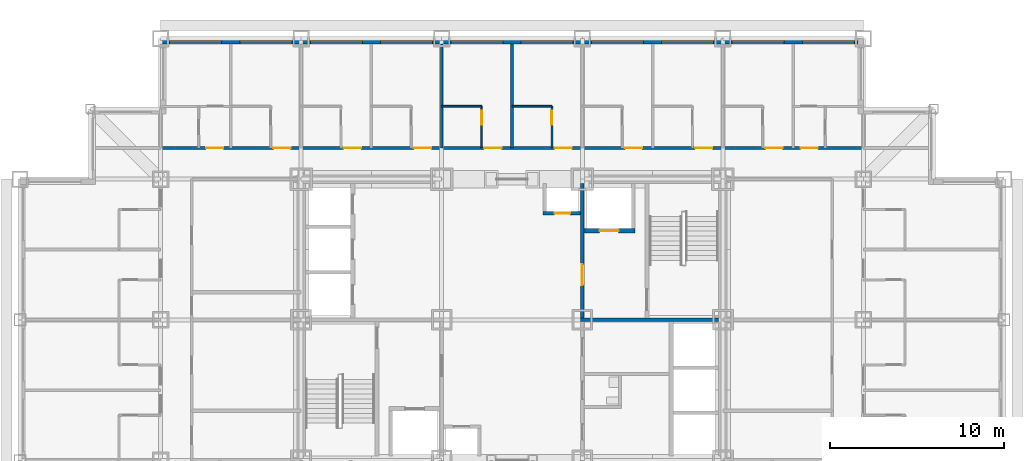
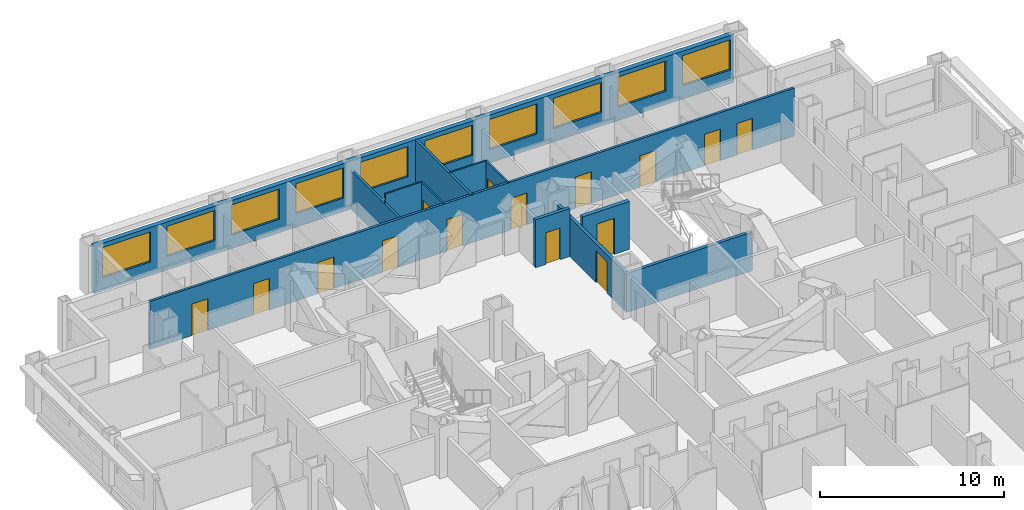
# One storey, part 9 of 13: 15 doors, 12 walls, 10 windows, 25 openings.
"""IFC4 building model written with IfcOpenShell, lengths in metres."""

import ifcopenshell
import ifcopenshell.guid

model = None  # the IFC model being written
_history = None  # IfcOwnerHistory: only IFC2X3 demands one
_inside = {}  # id of a spatial element -> (the spatial element, [elements in it])
_under = {}  # id of a project, library or spatial element -> (it, [spatial elements below it])
_declared = {}  # id of a project -> (the project, [libraries it declares])
_typed = {}  # id of a type object -> (the type object, [elements of that type])
_made_of = {}  # id of a material, layer set ... -> (it, [elements and type objects made of it])


def new_model(schema):
    """Start an empty IFC model of exactly this schema.

    Asked for "IFC4X3", IfcOpenShell would pick the latest addendum, in which some entities
    have other attributes; the version numbers below select the first issue.
    IFC2X3 requires an IfcOwnerHistory on every rooted entity: one is made here for all.
    """
    global model, _history
    if schema == "IFC4X3":
        model = ifcopenshell.file(schema_version=(4, 3, 0, 0))
    else:
        model = ifcopenshell.file(schema=schema)
    _inside.clear()
    _under.clear()
    _declared.clear()
    _typed.clear()
    _made_of.clear()
    _history = None
    if model.schema == "IFC2X3":
        org = make("IfcOrganization", Name="unknown")
        user = make(
            "IfcPersonAndOrganization",
            ThePerson=make("IfcPerson", FamilyName="unknown"),
            TheOrganization=org,
        )
        app = make(
            "IfcApplication",
            ApplicationDeveloper=org,
            Version="unknown",
            ApplicationFullName="unknown",
            ApplicationIdentifier="unknown",
        )
        _history = make(
            "IfcOwnerHistory",
            OwningUser=user,
            OwningApplication=app,
            ChangeAction="ADDED",
            CreationDate=0,
        )
    return model


def make(cls, **values):
    """One entity of the class cls with the attributes given. An attribute that is None is left unset."""
    return model.create_entity(
        cls, **{name: value for name, value in values.items() if value is not None}
    )


def rooted(cls, **values):
    """An entity with a GlobalId (a new one), such as an element, a storey or a relation."""
    return make(cls, GlobalId=ifcopenshell.guid.new(), OwnerHistory=_history, **values)


def si_unit(unit_type, name, prefix=None):
    """IfcSIUnit, for example si_unit("LENGTHUNIT", "METRE", prefix="MILLI")."""
    return make("IfcSIUnit", UnitType=unit_type, Prefix=prefix, Name=name)


def assignment(units):
    """IfcUnitAssignment: the units of a project."""
    return None if units is None else make("IfcUnitAssignment", Units=units)


def point(xyz):
    """IfcCartesianPoint."""
    return None if xyz is None else make("IfcCartesianPoint", Coordinates=xyz)


def direction(xyz):
    """IfcDirection."""
    return None if xyz is None else make("IfcDirection", DirectionRatios=xyz)


def frame(location, z_axis=None, x_axis=None):
    """IfcAxis2Placement3D, a coordinate frame: its origin and axes. An axis left out is left unset."""
    return make(
        "IfcAxis2Placement3D",
        Location=point(location),
        Axis=direction(z_axis),
        RefDirection=direction(x_axis),
    )


def frame_2d(location, x_axis=None):
    """IfcAxis2Placement2D, a coordinate frame in the plane: its origin and x axis."""
    return make(
        "IfcAxis2Placement2D", Location=point(location), RefDirection=direction(x_axis)
    )


def origin():
    """The frame at (0, 0, 0) with its axes left unset."""
    return frame((0.0, 0.0, 0.0))


def place(relative_to, where):
    """IfcLocalPlacement: puts the frame where relative to a parent placement (None: the world)."""
    return make(
        "IfcLocalPlacement", PlacementRelTo=relative_to, RelativePlacement=where
    )


def context(
    kind, dimensions, precision=None, world=None, true_north=None, identifier=None
):
    """IfcGeometricRepresentationContext, for example the 3D "Model" context."""
    return make(
        "IfcGeometricRepresentationContext",
        ContextIdentifier=identifier,
        ContextType=kind,
        CoordinateSpaceDimension=dimensions,
        Precision=precision,
        WorldCoordinateSystem=world,
        TrueNorth=true_north,
    )


def subcontext(parent, identifier, kind, view, scale=None):
    """IfcGeometricRepresentationSubContext, for example "Body" below "Model"."""
    return make(
        "IfcGeometricRepresentationSubContext",
        ContextIdentifier=identifier,
        ContextType=kind,
        ParentContext=parent,
        TargetScale=scale,
        TargetView=view,
    )


def project(units=None, contexts=None):
    """IfcProject with its units and contexts."""
    return rooted(
        "IfcProject",
        Name="project",
        RepresentationContexts=contexts,
        UnitsInContext=assignment(units),
    )


def spatial(cls, under=None, at=None, **own):
    """A site, building, storey or space (cls), placed at a placement, below another one or the project."""
    s = rooted(cls, ObjectPlacement=at, **own)
    if under is not None:
        _under.setdefault(under.id(), (under, []))[1].append(s)
    return s


def profile(cls, at=None, kind="AREA", **sizes):
    """A parametric profile (cls). Its sizes go by their IFC names, for example OverallWidth=200.0."""
    return make(cls, ProfileType=kind, Position=at, **sizes)


def rectangle(**sizes):
    """IfcRectangleProfileDef."""
    return profile("IfcRectangleProfileDef", **sizes)


def extrude(swept, where, along, depth):
    """IfcExtrudedAreaSolid: the profile swept, set in the frame where, extruded along a direction by depth."""
    return make(
        "IfcExtrudedAreaSolid",
        SweptArea=swept,
        Position=where,
        ExtrudedDirection=direction(along),
        Depth=depth,
    )


def shape(context_of_items, identifier, shape_type, items):
    """IfcShapeRepresentation: the items that make up one representation, for example the "Body"."""
    return make(
        "IfcShapeRepresentation",
        ContextOfItems=context_of_items,
        RepresentationIdentifier=identifier,
        RepresentationType=shape_type,
        Items=items,
    )


def material(Name=None, Category=None):
    """IfcMaterial."""
    return make("IfcMaterial", Name=Name, Category=Category)


def layer(
    of_material, thickness, ventilated=None, Name=None, Category=None, Priority=None
):
    """IfcMaterialLayer: one layer of a wall or slab, of a material (None: an air gap)."""
    return make(
        "IfcMaterialLayer",
        Material=of_material,
        LayerThickness=thickness,
        IsVentilated=ventilated,
        Name=Name,
        Category=Category,
        Priority=Priority,
    )


def layer_set(layers, Name=None):
    """IfcMaterialLayerSet."""
    return make("IfcMaterialLayerSet", MaterialLayers=layers, LayerSetName=Name)


def made_of(thing, what):
    """Note that an element or type object is made of a material, layer set ...; save() writes the relation."""
    if what is not None:
        _made_of.setdefault(what.id(), (what, []))[1].append(thing)
    return thing


def type_object(cls, material=None, **own):
    """A type object (cls), such as IfcWallType, which elements share."""
    return made_of(rooted(cls, **own), material)


def element(
    cls,
    number,
    at=None,
    inside=None,
    cuts=None,
    type_object=None,
    material=None,
    context=None,
    identifier="Body",
    shape_type=None,
    held_by="IfcProductDefinitionShape",
    body=None,
    shapes=None,
    **own,
):
    """One element of the class cls, such as IfcWall. Its Tag is "e" and its number.

    at: its placement. inside: the storey or other place that contains it. cuts: it is an
    opening in that element (IfcRelVoidsElement). A single representation is given by context,
    identifier, shape_type and body (its items); several are given by shapes. held_by: the class
    of the entity that holds the representations. save() writes the other relations.
    """
    e = rooted(cls, Tag="e%d" % number, ObjectPlacement=at, **own)
    if body is not None:
        shapes = [shape(context, identifier, shape_type, body)]
    if shapes is not None:
        e.Representation = make(held_by, Representations=shapes)
    if inside is not None:
        _inside.setdefault(inside.id(), (inside, []))[1].append(e)
    if cuts is not None:
        rooted(
            "IfcRelVoidsElement", RelatingBuildingElement=cuts, RelatedOpeningElement=e
        )
    if type_object is not None:
        _typed.setdefault(type_object.id(), (type_object, []))[1].append(e)
    return made_of(e, material)


def fill(opening, filler):
    """IfcRelFillsElement: the door or window that sits in an opening."""
    return rooted(
        "IfcRelFillsElement",
        RelatingOpeningElement=opening,
        RelatedBuildingElement=filler,
    )


def aggregate(whole, parts):
    """IfcRelAggregates: a whole, such as a stair, and the parts it consists of."""
    return rooted("IfcRelAggregates", RelatingObject=whole, RelatedObjects=parts)


def save(model, path):
    """Write the relations noted so far, then the file.

    IfcRelAggregates (storeys below a building ...), IfcRelContainedInSpatialStructure (elements
    in a storey), IfcRelDefinesByType, IfcRelAssociatesMaterial and IfcRelDeclares: one each for
    every whole, place, type object, material and project.
    """
    for whole, parts in _under.values():
        aggregate(whole, parts)
    for where, things in _inside.values():
        rooted(
            "IfcRelContainedInSpatialStructure",
            RelatedElements=things,
            RelatingStructure=where,
        )
    for kind, things in _typed.values():
        rooted("IfcRelDefinesByType", RelatedObjects=things, RelatingType=kind)
    for what, things in _made_of.values():
        rooted("IfcRelAssociatesMaterial", RelatedObjects=things, RelatingMaterial=what)
    for by, libraries in _declared.values():
        rooted("IfcRelDeclares", RelatingContext=by, RelatedDefinitions=libraries)
    model.write(path)


model = new_model("IFC4")

# Units and contexts
model_context = context("Model", 3, precision=1e-05, world=origin(), true_north=direction((0.0, 1.0)))
body_context = subcontext(model_context, "Body", "Model", "MODEL_VIEW")
ifc_project = project(units=[si_unit("LENGTHUNIT", "METRE"), si_unit("AREAUNIT", "SQUARE_METRE"), si_unit("VOLUMEUNIT", "CUBIC_METRE"), si_unit("PLANEANGLEUNIT", "RADIAN"), si_unit("MASSUNIT", "GRAM", prefix="KILO")], contexts=[model_context])

# Site, building, storey
site_placement = place(None, origin())
site = spatial("IfcSite", under=ifc_project, at=site_placement, CompositionType="ELEMENT")
building_placement = place(site_placement, origin())
building = spatial("IfcBuilding", under=site, at=building_placement, Name="Kopane Lantern Tower", CompositionType="ELEMENT")
storey_placement = place(building_placement, frame((0.0, 0.0, 50.0)))
storey = spatial("IfcBuildingStorey", under=building, at=storey_placement, Name="L11", CompositionType="ELEMENT", Elevation=50.0)

# Wall
ifc_material_1 = material(Name="Moisture-resistant board on steel studs", Category="steel")
ifc_layer_1 = layer(ifc_material_1, 0.10009765625)
ifc_layer_set_1 = layer_set([ifc_layer_1], Name="BATHROOM WALL 100")
wall_type_1 = type_object("IfcWallType", Name="BATHROOM WALL 100", PredefinedType="PARTITIONING", material=ifc_layer_set_1)
wall_1_placement = place(storey_placement, frame((24.300048828125, 44.699951171875, 0.0), z_axis=(0.0, 0.0, 1.0), x_axis=(1.0, 0.0, 0.0)))
element("IfcWall", 1, at=wall_1_placement, inside=storey, type_object=wall_type_1, Name="Bathroom Wall 100 L11", PredefinedType="PARTITIONING", context=body_context, shape_type="SweptSolid", body=[
    extrude(rectangle(XDim=2.300048828125, YDim=0.10009765625, at=frame_2d((1.14990234375, 0.0))), origin(), (0.0, 0.0, 1.0), 3.18994140625),
])

# Wall, opening, door
wall_2_placement = place(storey_placement, frame((26.60009765625, 42.300048828125, 0.0), z_axis=(0.0, 0.0, 1.0), x_axis=(0.0, 1.0, 0.0)))
wall_2 = element("IfcWall", 2, at=wall_2_placement, inside=storey, type_object=wall_type_1, Name="Bathroom Wall 100 L11", PredefinedType="PARTITIONING", context=body_context, shape_type="SweptSolid", body=[
    extrude(rectangle(XDim=2.39990234375, YDim=0.10009765625, at=frame_2d((1.199951171875, 0.0))), origin(), (0.0, 0.0, 1.0), 3.18994140625),
])
opening_1_placement = place(wall_2_placement, frame((1.35009765625, 0.0, 0.0)))
opening_1 = element("IfcOpeningElement", 3, at=opening_1_placement, cuts=wall_2, Name="Opening L11-039", PredefinedType="OPENING", context=body_context, shape_type="SweptSolid", body=[
    extrude(rectangle(XDim=0.800048828125, YDim=2.10009765625, at=frame_2d((0.39990234375, 1.050048828125))), frame((0.0, 0.06005859375, 0.0), z_axis=(0.0, -1.0, 0.0), x_axis=(1.0, 0.0, 0.0)), (0.0, 0.0, 1.0), 0.1201171875),
])
ifc_material_2 = material(Name="Timber door set", Category="wood")
door_type_1 = type_object("IfcDoorType", Name="DOOR D2 800x2100", OperationType="SINGLE_SWING_LEFT", PredefinedType="DOOR", material=ifc_material_2)
door_1_placement = place(opening_1_placement, origin())
door_1 = element("IfcDoor", 4, at=door_1_placement, inside=storey, type_object=door_type_1, Name="Door L11-039", OperationType="SINGLE_SWING_RIGHT", OverallHeight=2.10009765625, OverallWidth=0.800048828125, PredefinedType="DOOR", context=body_context, shape_type="SweptSolid", body=[
    extrude(rectangle(XDim=0.800048828125, YDim=2.10009765625, at=frame_2d((0.39990234375, 1.050048828125))), frame((0.0, 0.02490234375, 0.0), z_axis=(0.0, -1.0, 0.0), x_axis=(1.0, 0.0, 0.0)), (0.0, 0.0, 1.0), 0.050048828125),
])
fill(opening_1, door_1)

# Wall
wall_3_placement = place(storey_placement, frame((28.35009765625, 44.699951171875, 0.0), z_axis=(0.0, 0.0, 1.0), x_axis=(1.0, 0.0, 0.0)))
element("IfcWall", 5, at=wall_3_placement, inside=storey, type_object=wall_type_1, Name="Bathroom Wall 100 L11", PredefinedType="PARTITIONING", context=body_context, shape_type="SweptSolid", body=[
    extrude(rectangle(XDim=2.2998046875, YDim=0.10009765625, at=frame_2d((1.14990234375, 0.0))), origin(), (0.0, 0.0, 1.0), 3.18994140625),
])

# Wall, opening, door
wall_4_placement = place(storey_placement, frame((30.64990234375, 42.300048828125, 0.0), z_axis=(0.0, 0.0, 1.0), x_axis=(0.0, 1.0, 0.0)))
wall_4 = element("IfcWall", 6, at=wall_4_placement, inside=storey, type_object=wall_type_1, Name="Bathroom Wall 100 L11", PredefinedType="PARTITIONING", context=body_context, shape_type="SweptSolid", body=[
    extrude(rectangle(XDim=2.39990234375, YDim=0.10009765625, at=frame_2d((1.199951171875, 0.0))), origin(), (0.0, 0.0, 1.0), 3.18994140625),
])
opening_2_placement = place(wall_4_placement, frame((1.35009765625, 0.0, 0.0)))
opening_2 = element("IfcOpeningElement", 7, at=opening_2_placement, cuts=wall_4, Name="Opening L11-041", PredefinedType="OPENING", context=body_context, shape_type="SweptSolid", body=[
    extrude(rectangle(XDim=0.800048828125, YDim=2.10009765625, at=frame_2d((0.39990234375, 1.050048828125))), frame((0.0, 0.06005859375, 0.0), z_axis=(0.0, -1.0, 0.0), x_axis=(1.0, 0.0, 0.0)), (0.0, 0.0, 1.0), 0.1201171875),
])
door_2_placement = place(opening_2_placement, origin())
door_2 = element("IfcDoor", 8, at=door_2_placement, inside=storey, type_object=door_type_1, Name="Door L11-041", OperationType="SINGLE_SWING_RIGHT", OverallHeight=2.10009765625, OverallWidth=0.800048828125, PredefinedType="DOOR", context=body_context, shape_type="SweptSolid", body=[
    extrude(rectangle(XDim=0.800048828125, YDim=2.10009765625, at=frame_2d((0.39990234375, 1.050048828125))), frame((0.0, 0.02490234375, 0.0), z_axis=(0.0, -1.0, 0.0), x_axis=(1.0, 0.0, 0.0)), (0.0, 0.0, 1.0), 0.050048828125),
])
fill(opening_2, door_2)

ifc_material_3 = material(Name="Gypsum shaft wall EI 120", Category="gypsum")
ifc_layer_2 = layer(ifc_material_3, 0.25)
ifc_layer_set_2 = layer_set([ifc_layer_2], Name="CORE SHAFT WALL 250 EI 120")
wall_type_2 = type_object("IfcWallType", Name="CORE SHAFT WALL 250 EI 120", PredefinedType="SOLIDWALL", material=ifc_layer_set_2)
wall_5_placement = place(storey_placement, frame((32.5, 37.52490234375, 0.0), z_axis=(0.0, 0.0, 1.0), x_axis=(1.0, 0.0, 0.0)))
wall_5 = element("IfcWall", 9, at=wall_5_placement, inside=storey, type_object=wall_type_2, Name="Core shaft wall L11 YLF2", PredefinedType="SOLIDWALL", context=body_context, shape_type="SweptSolid", body=[
    extrude(rectangle(XDim=2.949951171875, YDim=0.25, at=frame_2d((1.47509765625, 0.0))), origin(), (0.0, 0.0, 1.0), 3.18994140625),
])
opening_3_placement = place(wall_5_placement, frame((0.89990234375, 0.0, 0.0)))
opening_3 = element("IfcOpeningElement", 10, at=opening_3_placement, cuts=wall_5, Name="Opening 11.LD-LF2", PredefinedType="OPENING", context=body_context, shape_type="SweptSolid", body=[
    extrude(rectangle(XDim=1.10009765625, YDim=2.39990234375, at=frame_2d((0.550048828125, 1.199951171875))), frame((0.0, 0.135009765625, 0.0), z_axis=(0.0, -1.0, 0.0), x_axis=(1.0, 0.0, 0.0)), (0.0, 0.0, 1.0), 0.27001953125),
])
ifc_material_4 = material(Name="Steel door set", Category="steel")
door_type_2 = type_object("IfcDoorType", Name="LIFT LANDING DOOR 1100x2400 FD60", OperationType="DOUBLE_DOOR_SLIDING", PredefinedType="DOOR", material=ifc_material_4)
door_3_placement = place(opening_3_placement, origin())
door_3 = element("IfcDoor", 11, at=door_3_placement, inside=storey, type_object=door_type_2, Name="Landing door LF2 L11", OperationType="DOUBLE_DOOR_SLIDING", OverallHeight=2.39990234375, OverallWidth=1.10009765625, PredefinedType="DOOR", context=body_context, shape_type="SweptSolid", body=[
    extrude(rectangle(XDim=1.10009765625, YDim=2.39990234375, at=frame_2d((0.550048828125, 1.199951171875))), frame((0.0, 0.02490234375, 0.0), z_axis=(0.0, -1.0, 0.0), x_axis=(1.0, 0.0, 0.0)), (0.0, 0.0, 1.0), 0.050048828125),
])
fill(opening_3, door_3)

# Wall, openings, doors
ifc_material_5 = material(Name="Gypsum board on steel studs", Category="steel")
ifc_layer_3 = layer(ifc_material_5, 0.14990234375)
ifc_layer_set_3 = layer_set([ifc_layer_3], Name="CORRIDOR WALL 150 EI 60")
wall_type_3 = type_object("IfcWallType", Name="CORRIDOR WALL 150 EI 60", PredefinedType="PARTITIONING", material=ifc_layer_set_3)
wall_6_placement = place(storey_placement, frame((8.10009765625, 42.300048828125, 0.0), z_axis=(0.0, 0.0, 1.0), x_axis=(1.0, 0.0, 0.0)))
wall_6 = element("IfcWall", 12, at=wall_6_placement, inside=storey, type_object=wall_type_3, Name="Corridor Wall 150 Ei 60 L11", PredefinedType="PARTITIONING", context=body_context, shape_type="SweptSolid", body=[
    extrude(rectangle(XDim=40.5, YDim=0.14990234375, at=frame_2d((20.25, 0.0))), origin(), (0.0, 0.0, 1.0), 3.18994140625),
])
opening_4_placement = place(wall_6_placement, frame((6.5, 0.0, 0.0)))
opening_4 = element("IfcOpeningElement", 13, at=opening_4_placement, cuts=wall_6, Name="Opening L11-034", PredefinedType="OPENING", context=body_context, shape_type="SweptSolid", body=[
    extrude(rectangle(XDim=1.0, YDim=2.10009765625, at=frame_2d((0.5, 1.050048828125))), frame((0.0, 0.0849609375, 0.0), z_axis=(0.0, -1.0, 0.0), x_axis=(1.0, 0.0, 0.0)), (0.0, 0.0, 1.0), 0.169921875),
])
opening_5_placement = place(wall_6_placement, frame((10.550048828125, 0.0, 0.0)))
opening_5 = element("IfcOpeningElement", 14, at=opening_5_placement, cuts=wall_6, Name="Opening L11-036", PredefinedType="OPENING", context=body_context, shape_type="SweptSolid", body=[
    extrude(rectangle(XDim=1.0, YDim=2.10009765625, at=frame_2d((0.5, 1.050048828125))), frame((0.0, 0.0849609375, 0.0), z_axis=(0.0, -1.0, 0.0), x_axis=(1.0, 0.0, 0.0)), (0.0, 0.0, 1.0), 0.169921875),
])
opening_6_placement = place(wall_6_placement, frame((14.60009765625, 0.0, 0.0)))
opening_6 = element("IfcOpeningElement", 15, at=opening_6_placement, cuts=wall_6, Name="Opening L11-038", PredefinedType="OPENING", context=body_context, shape_type="SweptSolid", body=[
    extrude(rectangle(XDim=1.0, YDim=2.10009765625, at=frame_2d((0.5, 1.050048828125))), frame((0.0, 0.0849609375, 0.0), z_axis=(0.0, -1.0, 0.0), x_axis=(1.0, 0.0, 0.0)), (0.0, 0.0, 1.0), 0.169921875),
])
opening_7_placement = place(wall_6_placement, frame((18.64990234375, 0.0, 0.0)))
opening_7 = element("IfcOpeningElement", 16, at=opening_7_placement, cuts=wall_6, Name="Opening L11-040", PredefinedType="OPENING", context=body_context, shape_type="SweptSolid", body=[
    extrude(rectangle(XDim=1.0, YDim=2.10009765625, at=frame_2d((0.5, 1.050048828125))), frame((0.0, 0.0849609375, 0.0), z_axis=(0.0, -1.0, 0.0), x_axis=(1.0, 0.0, 0.0)), (0.0, 0.0, 1.0), 0.169921875),
])
opening_8_placement = place(wall_6_placement, frame((22.699951171875, 0.0, 0.0)))
opening_8 = element("IfcOpeningElement", 17, at=opening_8_placement, cuts=wall_6, Name="Opening L11-042", PredefinedType="OPENING", context=body_context, shape_type="SweptSolid", body=[
    extrude(rectangle(XDim=1.0, YDim=2.10009765625, at=frame_2d((0.5, 1.050048828125))), frame((0.0, 0.0849609375, 0.0), z_axis=(0.0, -1.0, 0.0), x_axis=(1.0, 0.0, 0.0)), (0.0, 0.0, 1.0), 0.169921875),
])
opening_9_placement = place(wall_6_placement, frame((26.75, 0.0, 0.0)))
opening_9 = element("IfcOpeningElement", 18, at=opening_9_placement, cuts=wall_6, Name="Opening L11-044", PredefinedType="OPENING", context=body_context, shape_type="SweptSolid", body=[
    extrude(rectangle(XDim=1.0, YDim=2.10009765625, at=frame_2d((0.5, 1.050048828125))), frame((0.0, 0.0849609375, 0.0), z_axis=(0.0, -1.0, 0.0), x_axis=(1.0, 0.0, 0.0)), (0.0, 0.0, 1.0), 0.169921875),
])
opening_10_placement = place(wall_6_placement, frame((30.800048828125, 0.0, 0.0)))
opening_10 = element("IfcOpeningElement", 19, at=opening_10_placement, cuts=wall_6, Name="Opening L11-046", PredefinedType="OPENING", context=body_context, shape_type="SweptSolid", body=[
    extrude(rectangle(XDim=1.0, YDim=2.10009765625, at=frame_2d((0.5, 1.050048828125))), frame((0.0, 0.0849609375, 0.0), z_axis=(0.0, -1.0, 0.0), x_axis=(1.0, 0.0, 0.0)), (0.0, 0.0, 1.0), 0.169921875),
])
opening_11_placement = place(wall_6_placement, frame((34.85009765625, 0.0, 0.0)))
opening_11 = element("IfcOpeningElement", 20, at=opening_11_placement, cuts=wall_6, Name="Opening L11-048", PredefinedType="OPENING", context=body_context, shape_type="SweptSolid", body=[
    extrude(rectangle(XDim=1.0, YDim=2.10009765625, at=frame_2d((0.5, 1.050048828125))), frame((0.0, 0.0849609375, 0.0), z_axis=(0.0, -1.0, 0.0), x_axis=(1.0, 0.0, 0.0)), (0.0, 0.0, 1.0), 0.169921875),
])
opening_12_placement = place(wall_6_placement, frame((36.875, 0.0, 0.0)))
opening_12 = element("IfcOpeningElement", 21, at=opening_12_placement, cuts=wall_6, Name="Opening L11-084", PredefinedType="OPENING", context=body_context, shape_type="SweptSolid", body=[
    extrude(rectangle(XDim=1.0, YDim=2.10009765625, at=frame_2d((0.5, 1.050048828125))), frame((0.0, 0.0849609375, 0.0), z_axis=(0.0, -1.0, 0.0), x_axis=(1.0, 0.0, 0.0)), (0.0, 0.0, 1.0), 0.169921875),
])
opening_13_placement = place(wall_6_placement, frame((2.625, 0.0, 0.0)))
opening_13 = element("IfcOpeningElement", 22, at=opening_13_placement, cuts=wall_6, Name="Opening L11-087", PredefinedType="OPENING", context=body_context, shape_type="SweptSolid", body=[
    extrude(rectangle(XDim=1.0, YDim=2.10009765625, at=frame_2d((0.5, 1.050048828125))), frame((0.0, 0.0849609375, 0.0), z_axis=(0.0, -1.0, 0.0), x_axis=(1.0, 0.0, 0.0)), (0.0, 0.0, 1.0), 0.169921875),
])
ifc_material_6 = material(Name="Steel door set", Category="steel")
door_type_3 = type_object("IfcDoorType", Name="DOOR D1 1000x2100 FD30S", OperationType="SINGLE_SWING_LEFT", PredefinedType="DOOR", material=ifc_material_6)
door_4_placement = place(opening_4_placement, origin())
door_4 = element("IfcDoor", 23, at=door_4_placement, inside=storey, type_object=door_type_3, Name="Door L11-034", OperationType="SINGLE_SWING_LEFT", OverallHeight=2.10009765625, OverallWidth=1.0, PredefinedType="DOOR", context=body_context, shape_type="SweptSolid", body=[
    extrude(rectangle(XDim=1.0, YDim=2.10009765625, at=frame_2d((0.5, 1.050048828125))), frame((0.0, 0.02490234375, 0.0), z_axis=(0.0, -1.0, 0.0), x_axis=(1.0, 0.0, 0.0)), (0.0, 0.0, 1.0), 0.050048828125),
])
fill(opening_4, door_4)
door_5_placement = place(opening_5_placement, origin())
door_5 = element("IfcDoor", 24, at=door_5_placement, inside=storey, type_object=door_type_3, Name="Door L11-036", OperationType="SINGLE_SWING_LEFT", OverallHeight=2.10009765625, OverallWidth=1.0, PredefinedType="DOOR", context=body_context, shape_type="SweptSolid", body=[
    extrude(rectangle(XDim=1.0, YDim=2.10009765625, at=frame_2d((0.5, 1.050048828125))), frame((0.0, 0.02490234375, 0.0), z_axis=(0.0, -1.0, 0.0), x_axis=(1.0, 0.0, 0.0)), (0.0, 0.0, 1.0), 0.050048828125),
])
fill(opening_5, door_5)
door_6_placement = place(opening_6_placement, origin())
door_6 = element("IfcDoor", 25, at=door_6_placement, inside=storey, type_object=door_type_3, Name="Door L11-038", OperationType="SINGLE_SWING_LEFT", OverallHeight=2.10009765625, OverallWidth=1.0, PredefinedType="DOOR", context=body_context, shape_type="SweptSolid", body=[
    extrude(rectangle(XDim=1.0, YDim=2.10009765625, at=frame_2d((0.5, 1.050048828125))), frame((0.0, 0.02490234375, 0.0), z_axis=(0.0, -1.0, 0.0), x_axis=(1.0, 0.0, 0.0)), (0.0, 0.0, 1.0), 0.050048828125),
])
fill(opening_6, door_6)
door_7_placement = place(opening_7_placement, origin())
door_7 = element("IfcDoor", 26, at=door_7_placement, inside=storey, type_object=door_type_3, Name="Door L11-040", OperationType="SINGLE_SWING_LEFT", OverallHeight=2.10009765625, OverallWidth=1.0, PredefinedType="DOOR", context=body_context, shape_type="SweptSolid", body=[
    extrude(rectangle(XDim=1.0, YDim=2.10009765625, at=frame_2d((0.5, 1.050048828125))), frame((0.0, 0.02490234375, 0.0), z_axis=(0.0, -1.0, 0.0), x_axis=(1.0, 0.0, 0.0)), (0.0, 0.0, 1.0), 0.050048828125),
])
fill(opening_7, door_7)
door_8_placement = place(opening_8_placement, origin())
door_8 = element("IfcDoor", 27, at=door_8_placement, inside=storey, type_object=door_type_3, Name="Door L11-042", OperationType="SINGLE_SWING_LEFT", OverallHeight=2.10009765625, OverallWidth=1.0, PredefinedType="DOOR", context=body_context, shape_type="SweptSolid", body=[
    extrude(rectangle(XDim=1.0, YDim=2.10009765625, at=frame_2d((0.5, 1.050048828125))), frame((0.0, 0.02490234375, 0.0), z_axis=(0.0, -1.0, 0.0), x_axis=(1.0, 0.0, 0.0)), (0.0, 0.0, 1.0), 0.050048828125),
])
fill(opening_8, door_8)
door_9_placement = place(opening_9_placement, origin())
door_9 = element("IfcDoor", 28, at=door_9_placement, inside=storey, type_object=door_type_3, Name="Door L11-044", OperationType="SINGLE_SWING_LEFT", OverallHeight=2.10009765625, OverallWidth=1.0, PredefinedType="DOOR", context=body_context, shape_type="SweptSolid", body=[
    extrude(rectangle(XDim=1.0, YDim=2.10009765625, at=frame_2d((0.5, 1.050048828125))), frame((0.0, 0.02490234375, 0.0), z_axis=(0.0, -1.0, 0.0), x_axis=(1.0, 0.0, 0.0)), (0.0, 0.0, 1.0), 0.050048828125),
])
fill(opening_9, door_9)
door_10_placement = place(opening_10_placement, origin())
door_10 = element("IfcDoor", 29, at=door_10_placement, inside=storey, type_object=door_type_3, Name="Door L11-046", OperationType="SINGLE_SWING_LEFT", OverallHeight=2.10009765625, OverallWidth=1.0, PredefinedType="DOOR", context=body_context, shape_type="SweptSolid", body=[
    extrude(rectangle(XDim=1.0, YDim=2.10009765625, at=frame_2d((0.5, 1.050048828125))), frame((0.0, 0.02490234375, 0.0), z_axis=(0.0, -1.0, 0.0), x_axis=(1.0, 0.0, 0.0)), (0.0, 0.0, 1.0), 0.050048828125),
])
fill(opening_10, door_10)
door_11_placement = place(opening_11_placement, origin())
door_11 = element("IfcDoor", 30, at=door_11_placement, inside=storey, type_object=door_type_3, Name="Door L11-048", OperationType="SINGLE_SWING_LEFT", OverallHeight=2.10009765625, OverallWidth=1.0, PredefinedType="DOOR", context=body_context, shape_type="SweptSolid", body=[
    extrude(rectangle(XDim=1.0, YDim=2.10009765625, at=frame_2d((0.5, 1.050048828125))), frame((0.0, 0.02490234375, 0.0), z_axis=(0.0, -1.0, 0.0), x_axis=(1.0, 0.0, 0.0)), (0.0, 0.0, 1.0), 0.050048828125),
])
fill(opening_11, door_11)
door_12_placement = place(opening_12_placement, origin())
door_12 = element("IfcDoor", 31, at=door_12_placement, inside=storey, type_object=door_type_3, Name="Door L11-084", OperationType="SINGLE_SWING_RIGHT", OverallHeight=2.10009765625, OverallWidth=1.0, PredefinedType="DOOR", context=body_context, shape_type="SweptSolid", body=[
    extrude(rectangle(XDim=1.0, YDim=2.10009765625, at=frame_2d((0.5, 1.050048828125))), frame((0.0, 0.02490234375, 0.0), z_axis=(0.0, -1.0, 0.0), x_axis=(1.0, 0.0, 0.0)), (0.0, 0.0, 1.0), 0.050048828125),
])
fill(opening_12, door_12)
door_13_placement = place(opening_13_placement, origin())
door_13 = element("IfcDoor", 32, at=door_13_placement, inside=storey, type_object=door_type_3, Name="Door L11-087", OperationType="SINGLE_SWING_LEFT", OverallHeight=2.10009765625, OverallWidth=1.0, PredefinedType="DOOR", context=body_context, shape_type="SweptSolid", body=[
    extrude(rectangle(XDim=1.0, YDim=2.10009765625, at=frame_2d((0.5, 1.050048828125))), frame((0.0, 0.02490234375, 0.0), z_axis=(0.0, -1.0, 0.0), x_axis=(1.0, 0.0, 0.0)), (0.0, 0.0, 1.0), 0.050048828125),
])
fill(opening_13, door_13)

# Walls
ifc_material_7 = material(Name="Gypsum board on steel studs", Category="steel")
ifc_layer_4 = layer(ifc_material_7, 0.14990234375)
ifc_layer_set_4 = layer_set([ifc_layer_4], Name="DEMISING WALL 150 EI 60")
wall_type_4 = type_object("IfcWallType", Name="DEMISING WALL 150 EI 60", PredefinedType="PARTITIONING", material=ifc_layer_set_4)
wall_7_placement = place(storey_placement, frame((24.300048828125, 42.300048828125, 0.0), z_axis=(0.0, 0.0, 1.0), x_axis=(0.0, 1.0, 0.0)))
element("IfcWall", 33, at=wall_7_placement, inside=storey, type_object=wall_type_4, Name="Demising Wall 150 Ei 60 L11", PredefinedType="PARTITIONING", context=body_context, shape_type="SweptSolid", body=[
    extrude(rectangle(XDim=6.0, YDim=0.14990234375, at=frame_2d((3.0, 0.0))), origin(), (0.0, 0.0, 1.0), 2.577880859375),
])
wall_8_placement = place(storey_placement, frame((28.35009765625, 42.300048828125, 0.0), z_axis=(0.0, 0.0, 1.0), x_axis=(0.0, 1.0, 0.0)))
element("IfcWall", 34, at=wall_8_placement, inside=storey, type_object=wall_type_4, Name="Demising Wall 150 Ei 60 L11", PredefinedType="PARTITIONING", context=body_context, shape_type="SweptSolid", body=[
    extrude(rectangle(XDim=6.0, YDim=0.14990234375, at=frame_2d((3.0, 0.0))), origin(), (0.0, 0.0, 1.0), 3.18994140625),
])

# Wall, openings, windows
ifc_material_8 = material(Name="Terracotta rainscreen on light steel framing", Category="masonry")
ifc_layer_5 = layer(ifc_material_8, 0.300048828125)
ifc_layer_set_5 = layer_set([ifc_layer_5], Name="EXTERNAL WALL EW1 300 TERRACOTTA")
wall_type_5 = type_object("IfcWallType", Name="EXTERNAL WALL EW1 300 TERRACOTTA", PredefinedType="SOLIDWALL", material=ifc_layer_set_5)
wall_9_placement = place(storey_placement, frame((48.300048828125, 48.449951171875, 0.0), z_axis=(0.0, 0.0, 1.0), x_axis=(-1.0, 0.0, 0.0)))
wall_9 = element("IfcWall", 35, at=wall_9_placement, inside=storey, type_object=wall_type_5, Name="External wall N L11", PredefinedType="SOLIDWALL", context=body_context, shape_type="SweptSolid", body=[
    extrude(rectangle(XDim=40.199951171875, YDim=0.300048828125, at=frame_2d((20.10009765625, 0.0))), origin(), (0.0, 0.0, 1.0), 3.18994140625),
])
opening_14_placement = place(wall_9_placement, frame((0.22509765625, 0.0, 0.89990234375)))
opening_14 = element("IfcOpeningElement", 36, at=opening_14_placement, cuts=wall_9, Name="Opening WR300200", PredefinedType="OPENING", context=body_context, shape_type="SweptSolid", body=[
    extrude(rectangle(XDim=3.0, YDim=2.0, at=frame_2d((1.5, 1.0))), frame((0.0, 0.159912109375, 0.0), z_axis=(0.0, -1.0, 0.0), x_axis=(1.0, 0.0, 0.0)), (0.0, 0.0, 1.0), 0.320068359375),
])
opening_15_placement = place(wall_9_placement, frame((4.27490234375, 0.0, 0.89990234375)))
opening_15 = element("IfcOpeningElement", 37, at=opening_15_placement, cuts=wall_9, Name="Opening WR300200", PredefinedType="OPENING", context=body_context, shape_type="SweptSolid", body=[
    extrude(rectangle(XDim=3.0, YDim=2.0, at=frame_2d((1.5, 1.0))), frame((0.0, 0.159912109375, 0.0), z_axis=(0.0, -1.0, 0.0), x_axis=(1.0, 0.0, 0.0)), (0.0, 0.0, 1.0), 0.320068359375),
])
opening_16_placement = place(wall_9_placement, frame((8.324951171875, 0.0, 0.89990234375)))
opening_16 = element("IfcOpeningElement", 38, at=opening_16_placement, cuts=wall_9, Name="Opening WR300200", PredefinedType="OPENING", context=body_context, shape_type="SweptSolid", body=[
    extrude(rectangle(XDim=3.0, YDim=2.0, at=frame_2d((1.5, 1.0))), frame((0.0, 0.159912109375, 0.0), z_axis=(0.0, -1.0, 0.0), x_axis=(1.0, 0.0, 0.0)), (0.0, 0.0, 1.0), 0.320068359375),
])
opening_17_placement = place(wall_9_placement, frame((12.375, 0.0, 0.89990234375)))
opening_17 = element("IfcOpeningElement", 39, at=opening_17_placement, cuts=wall_9, Name="Opening WR300200", PredefinedType="OPENING", context=body_context, shape_type="SweptSolid", body=[
    extrude(rectangle(XDim=3.0, YDim=2.0, at=frame_2d((1.5, 1.0))), frame((0.0, 0.159912109375, 0.0), z_axis=(0.0, -1.0, 0.0), x_axis=(1.0, 0.0, 0.0)), (0.0, 0.0, 1.0), 0.320068359375),
])
opening_18_placement = place(wall_9_placement, frame((16.425048828125, 0.0, 0.89990234375)))
opening_18 = element("IfcOpeningElement", 40, at=opening_18_placement, cuts=wall_9, Name="Opening WR300200", PredefinedType="OPENING", context=body_context, shape_type="SweptSolid", body=[
    extrude(rectangle(XDim=3.0, YDim=2.0, at=frame_2d((1.5, 1.0))), frame((0.0, 0.159912109375, 0.0), z_axis=(0.0, -1.0, 0.0), x_axis=(1.0, 0.0, 0.0)), (0.0, 0.0, 1.0), 0.320068359375),
])
opening_19_placement = place(wall_9_placement, frame((20.47509765625, 0.0, 0.89990234375)))
opening_19 = element("IfcOpeningElement", 41, at=opening_19_placement, cuts=wall_9, Name="Opening WR300200", PredefinedType="OPENING", context=body_context, shape_type="SweptSolid", body=[
    extrude(rectangle(XDim=3.0, YDim=2.0, at=frame_2d((1.5, 1.0))), frame((0.0, 0.159912109375, 0.0), z_axis=(0.0, -1.0, 0.0), x_axis=(1.0, 0.0, 0.0)), (0.0, 0.0, 1.0), 0.320068359375),
])
opening_20_placement = place(wall_9_placement, frame((24.52490234375, 0.0, 0.89990234375)))
opening_20 = element("IfcOpeningElement", 42, at=opening_20_placement, cuts=wall_9, Name="Opening WR300200", PredefinedType="OPENING", context=body_context, shape_type="SweptSolid", body=[
    extrude(rectangle(XDim=3.0, YDim=2.0, at=frame_2d((1.5, 1.0))), frame((0.0, 0.159912109375, 0.0), z_axis=(0.0, -1.0, 0.0), x_axis=(1.0, 0.0, 0.0)), (0.0, 0.0, 1.0), 0.320068359375),
])
opening_21_placement = place(wall_9_placement, frame((28.574951171875, 0.0, 0.89990234375)))
opening_21 = element("IfcOpeningElement", 43, at=opening_21_placement, cuts=wall_9, Name="Opening WR300200", PredefinedType="OPENING", context=body_context, shape_type="SweptSolid", body=[
    extrude(rectangle(XDim=3.0, YDim=2.0, at=frame_2d((1.5, 1.0))), frame((0.0, 0.159912109375, 0.0), z_axis=(0.0, -1.0, 0.0), x_axis=(1.0, 0.0, 0.0)), (0.0, 0.0, 1.0), 0.320068359375),
])
opening_22_placement = place(wall_9_placement, frame((32.625, 0.0, 0.89990234375)))
opening_22 = element("IfcOpeningElement", 44, at=opening_22_placement, cuts=wall_9, Name="Opening WR300200", PredefinedType="OPENING", context=body_context, shape_type="SweptSolid", body=[
    extrude(rectangle(XDim=3.0, YDim=2.0, at=frame_2d((1.5, 1.0))), frame((0.0, 0.159912109375, 0.0), z_axis=(0.0, -1.0, 0.0), x_axis=(1.0, 0.0, 0.0)), (0.0, 0.0, 1.0), 0.320068359375),
])
opening_23_placement = place(wall_9_placement, frame((36.675048828125, 0.0, 0.89990234375)))
opening_23 = element("IfcOpeningElement", 45, at=opening_23_placement, cuts=wall_9, Name="Opening WR300200", PredefinedType="OPENING", context=body_context, shape_type="SweptSolid", body=[
    extrude(rectangle(XDim=3.0, YDim=2.0, at=frame_2d((1.5, 1.0))), frame((0.0, 0.159912109375, 0.0), z_axis=(0.0, -1.0, 0.0), x_axis=(1.0, 0.0, 0.0)), (0.0, 0.0, 1.0), 0.320068359375),
])
ifc_material_9 = material(Name="Aluminium and clear glass", Category="aluminium")
window_type = type_object("IfcWindowType", Name="RIBBON WINDOW WR300200 3000x2000", PartitioningType="SINGLE_PANEL", PredefinedType="WINDOW", material=ifc_material_9)
window_1_placement = place(opening_14_placement, origin())
window_1 = element("IfcWindow", 46, at=window_1_placement, inside=storey, type_object=window_type, Name="Window N L11", OverallHeight=2.0, OverallWidth=3.0, PartitioningType="SINGLE_PANEL", PredefinedType="WINDOW", context=body_context, shape_type="SweptSolid", body=[
    extrude(rectangle(XDim=3.0, YDim=2.0, at=frame_2d((1.5, 1.0))), frame((0.0, 0.030029296875, 0.0), z_axis=(0.0, -1.0, 0.0), x_axis=(1.0, 0.0, 0.0)), (0.0, 0.0, 1.0), 0.06005859375),
])
fill(opening_14, window_1)
window_2_placement = place(opening_15_placement, origin())
window_2 = element("IfcWindow", 47, at=window_2_placement, inside=storey, type_object=window_type, Name="Window N L11", OverallHeight=2.0, OverallWidth=3.0, PartitioningType="SINGLE_PANEL", PredefinedType="WINDOW", context=body_context, shape_type="SweptSolid", body=[
    extrude(rectangle(XDim=3.0, YDim=2.0, at=frame_2d((1.5, 1.0))), frame((0.0, 0.030029296875, 0.0), z_axis=(0.0, -1.0, 0.0), x_axis=(1.0, 0.0, 0.0)), (0.0, 0.0, 1.0), 0.06005859375),
])
fill(opening_15, window_2)
window_3_placement = place(opening_16_placement, origin())
window_3 = element("IfcWindow", 48, at=window_3_placement, inside=storey, type_object=window_type, Name="Window N L11", OverallHeight=2.0, OverallWidth=3.0, PartitioningType="SINGLE_PANEL", PredefinedType="WINDOW", context=body_context, shape_type="SweptSolid", body=[
    extrude(rectangle(XDim=3.0, YDim=2.0, at=frame_2d((1.5, 1.0))), frame((0.0, 0.030029296875, 0.0), z_axis=(0.0, -1.0, 0.0), x_axis=(1.0, 0.0, 0.0)), (0.0, 0.0, 1.0), 0.06005859375),
])
fill(opening_16, window_3)
window_4_placement = place(opening_17_placement, origin())
window_4 = element("IfcWindow", 49, at=window_4_placement, inside=storey, type_object=window_type, Name="Window N L11", OverallHeight=2.0, OverallWidth=3.0, PartitioningType="SINGLE_PANEL", PredefinedType="WINDOW", context=body_context, shape_type="SweptSolid", body=[
    extrude(rectangle(XDim=3.0, YDim=2.0, at=frame_2d((1.5, 1.0))), frame((0.0, 0.030029296875, 0.0), z_axis=(0.0, -1.0, 0.0), x_axis=(1.0, 0.0, 0.0)), (0.0, 0.0, 1.0), 0.06005859375),
])
fill(opening_17, window_4)
window_5_placement = place(opening_18_placement, origin())
window_5 = element("IfcWindow", 50, at=window_5_placement, inside=storey, type_object=window_type, Name="Window N L11", OverallHeight=2.0, OverallWidth=3.0, PartitioningType="SINGLE_PANEL", PredefinedType="WINDOW", context=body_context, shape_type="SweptSolid", body=[
    extrude(rectangle(XDim=3.0, YDim=2.0, at=frame_2d((1.5, 1.0))), frame((0.0, 0.030029296875, 0.0), z_axis=(0.0, -1.0, 0.0), x_axis=(1.0, 0.0, 0.0)), (0.0, 0.0, 1.0), 0.06005859375),
])
fill(opening_18, window_5)
window_6_placement = place(opening_19_placement, origin())
window_6 = element("IfcWindow", 51, at=window_6_placement, inside=storey, type_object=window_type, Name="Window N L11", OverallHeight=2.0, OverallWidth=3.0, PartitioningType="SINGLE_PANEL", PredefinedType="WINDOW", context=body_context, shape_type="SweptSolid", body=[
    extrude(rectangle(XDim=3.0, YDim=2.0, at=frame_2d((1.5, 1.0))), frame((0.0, 0.030029296875, 0.0), z_axis=(0.0, -1.0, 0.0), x_axis=(1.0, 0.0, 0.0)), (0.0, 0.0, 1.0), 0.06005859375),
])
fill(opening_19, window_6)
window_7_placement = place(opening_20_placement, origin())
window_7 = element("IfcWindow", 52, at=window_7_placement, inside=storey, type_object=window_type, Name="Window N L11", OverallHeight=2.0, OverallWidth=3.0, PartitioningType="SINGLE_PANEL", PredefinedType="WINDOW", context=body_context, shape_type="SweptSolid", body=[
    extrude(rectangle(XDim=3.0, YDim=2.0, at=frame_2d((1.5, 1.0))), frame((0.0, 0.030029296875, 0.0), z_axis=(0.0, -1.0, 0.0), x_axis=(1.0, 0.0, 0.0)), (0.0, 0.0, 1.0), 0.06005859375),
])
fill(opening_20, window_7)
window_8_placement = place(opening_21_placement, origin())
window_8 = element("IfcWindow", 53, at=window_8_placement, inside=storey, type_object=window_type, Name="Window N L11", OverallHeight=2.0, OverallWidth=3.0, PartitioningType="SINGLE_PANEL", PredefinedType="WINDOW", context=body_context, shape_type="SweptSolid", body=[
    extrude(rectangle(XDim=3.0, YDim=2.0, at=frame_2d((1.5, 1.0))), frame((0.0, 0.030029296875, 0.0), z_axis=(0.0, -1.0, 0.0), x_axis=(1.0, 0.0, 0.0)), (0.0, 0.0, 1.0), 0.06005859375),
])
fill(opening_21, window_8)
window_9_placement = place(opening_22_placement, origin())
window_9 = element("IfcWindow", 54, at=window_9_placement, inside=storey, type_object=window_type, Name="Window N L11", OverallHeight=2.0, OverallWidth=3.0, PartitioningType="SINGLE_PANEL", PredefinedType="WINDOW", context=body_context, shape_type="SweptSolid", body=[
    extrude(rectangle(XDim=3.0, YDim=2.0, at=frame_2d((1.5, 1.0))), frame((0.0, 0.030029296875, 0.0), z_axis=(0.0, -1.0, 0.0), x_axis=(1.0, 0.0, 0.0)), (0.0, 0.0, 1.0), 0.06005859375),
])
fill(opening_22, window_9)
window_10_placement = place(opening_23_placement, origin())
window_10 = element("IfcWindow", 55, at=window_10_placement, inside=storey, type_object=window_type, Name="Window N L11", OverallHeight=2.0, OverallWidth=3.0, PartitioningType="SINGLE_PANEL", PredefinedType="WINDOW", context=body_context, shape_type="SweptSolid", body=[
    extrude(rectangle(XDim=3.0, YDim=2.0, at=frame_2d((1.5, 1.0))), frame((0.0, 0.030029296875, 0.0), z_axis=(0.0, -1.0, 0.0), x_axis=(1.0, 0.0, 0.0)), (0.0, 0.0, 1.0), 0.06005859375),
])
fill(opening_23, window_10)

# Wall
ifc_material_10 = material(Name="Gypsum shaft wall EI 120", Category="gypsum")
ifc_layer_6 = layer(ifc_material_10, 0.199951171875)
ifc_layer_set_6 = layer_set([ifc_layer_6], Name="SHAFT WALL 200 EI 120")
wall_type_6 = type_object("IfcWallType", Name="SHAFT WALL 200 EI 120", PredefinedType="SOLIDWALL", material=ifc_layer_set_6)
wall_10_placement = place(storey_placement, frame((32.300048828125, 32.39990234375, 0.0), z_axis=(0.0, 0.0, 1.0), x_axis=(1.0, 0.0, 0.0)))
element("IfcWall", 56, at=wall_10_placement, inside=storey, type_object=wall_type_6, Name="Core shaft wall L11 Y324E", PredefinedType="SOLIDWALL", context=body_context, shape_type="SweptSolid", body=[
    extrude(rectangle(XDim=7.949951171875, YDim=0.199951171875, at=frame_2d((3.97509765625, 0.0))), origin(), (0.0, 0.0, 1.0), 2.577880859375),
])

# Wall, opening, door
wall_11_placement = place(storey_placement, frame((32.39990234375, 32.5, 0.0), z_axis=(0.0, 0.0, 1.0), x_axis=(0.0, 1.0, 0.0)))
wall_11 = element("IfcWall", 57, at=wall_11_placement, inside=storey, type_object=wall_type_6, Name="Core shaft wall L11 X324", PredefinedType="SOLIDWALL", context=body_context, shape_type="SweptSolid", body=[
    extrude(rectangle(XDim=7.75, YDim=0.199951171875, at=frame_2d((3.875, 0.0))), origin(), (0.0, 0.0, 1.0), 2.577880859375),
])
opening_24_placement = place(wall_11_placement, frame((1.89990234375, 0.0, 0.0)))
opening_24 = element("IfcOpeningElement", 58, at=opening_24_placement, cuts=wall_11, Name="Opening 11.FL2", PredefinedType="OPENING", context=body_context, shape_type="SweptSolid", body=[
    extrude(rectangle(XDim=1.199951171875, YDim=2.10009765625, at=frame_2d((0.60009765625, 1.050048828125))), frame((0.0, 0.10986328125, 0.0), z_axis=(0.0, -1.0, 0.0), x_axis=(1.0, 0.0, 0.0)), (0.0, 0.0, 1.0), 0.219970703125),
])
ifc_material_11 = material(Name="Steel door set", Category="steel")
door_type_4 = type_object("IfcDoorType", Name="FIREFIGHTING LOBBY DOOR 1200x2100 FD60S", OperationType="SINGLE_SWING_RIGHT", PredefinedType="DOOR", material=ifc_material_11)
door_14_placement = place(opening_24_placement, origin())
door_14 = element("IfcDoor", 59, at=door_14_placement, inside=storey, type_object=door_type_4, Name="Firefighting lobby door FL2 L11", OperationType="SINGLE_SWING_LEFT", OverallHeight=2.10009765625, OverallWidth=1.199951171875, PredefinedType="DOOR", context=body_context, shape_type="SweptSolid", body=[
    extrude(rectangle(XDim=1.199951171875, YDim=2.10009765625, at=frame_2d((0.60009765625, 1.050048828125))), frame((0.0, 0.02490234375, 0.0), z_axis=(0.0, -1.0, 0.0), x_axis=(1.0, 0.0, 0.0)), (0.0, 0.0, 1.0), 0.050048828125),
])
fill(opening_24, door_14)

wall_12_placement = place(storey_placement, frame((30.14990234375, 38.550048828125, 0.0), z_axis=(0.0, 0.0, 1.0), x_axis=(1.0, 0.0, 0.0)))
wall_12 = element("IfcWall", 60, at=wall_12_placement, inside=storey, type_object=wall_type_6, Name="Core shaft wall L11 YRS2", PredefinedType="SOLIDWALL", context=body_context, shape_type="SweptSolid", body=[
    extrude(rectangle(XDim=2.150146484375, YDim=0.199951171875, at=frame_2d((1.0751953125, 0.0))), origin(), (0.0, 0.0, 1.0), 3.18994140625),
])
opening_25_placement = place(wall_12_placement, frame((0.64990234375, 0.0, 0.0)))
opening_25 = element("IfcOpeningElement", 61, at=opening_25_placement, cuts=wall_12, Name="Opening 11.RS2", PredefinedType="OPENING", context=body_context, shape_type="SweptSolid", body=[
    extrude(rectangle(XDim=0.89990234375, YDim=2.10009765625, at=frame_2d((0.449951171875, 1.050048828125))), frame((0.0, 0.10986328125, 0.0), z_axis=(0.0, -1.0, 0.0), x_axis=(1.0, 0.0, 0.0)), (0.0, 0.0, 1.0), 0.219970703125),
])
ifc_material_12 = material(Name="Steel door set", Category="steel")
door_type_5 = type_object("IfcDoorType", Name="RISER ACCESS DOOR 900x2100 FD60", OperationType="SINGLE_SWING_LEFT", PredefinedType="DOOR", material=ifc_material_12)
door_15_placement = place(opening_25_placement, origin())
door_15 = element("IfcDoor", 62, at=door_15_placement, inside=storey, type_object=door_type_5, Name="Riser access door RS2 L11", OperationType="SINGLE_SWING_LEFT", OverallHeight=2.10009765625, OverallWidth=0.89990234375, PredefinedType="DOOR", context=body_context, shape_type="SweptSolid", body=[
    extrude(rectangle(XDim=0.89990234375, YDim=2.10009765625, at=frame_2d((0.449951171875, 1.050048828125))), frame((0.0, 0.02490234375, 0.0), z_axis=(0.0, -1.0, 0.0), x_axis=(1.0, 0.0, 0.0)), (0.0, 0.0, 1.0), 0.050048828125),
])
fill(opening_25, door_15)

save(model, "model.ifc")
